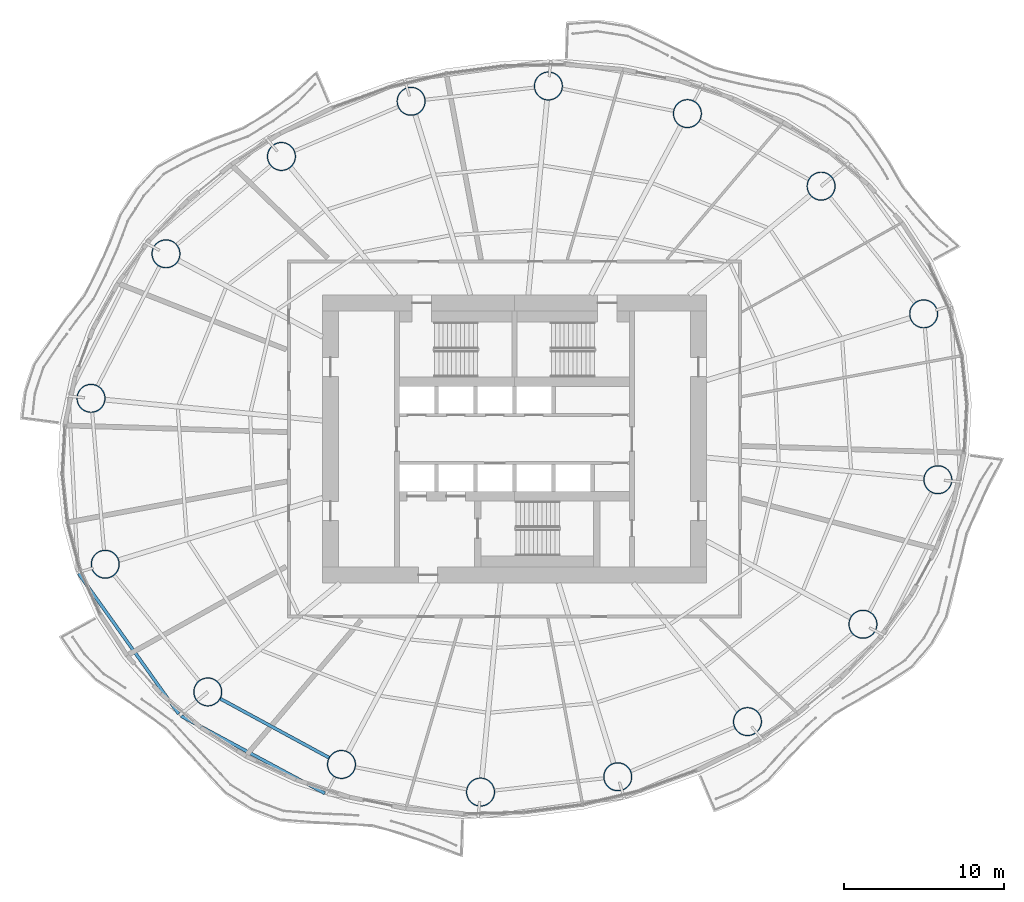
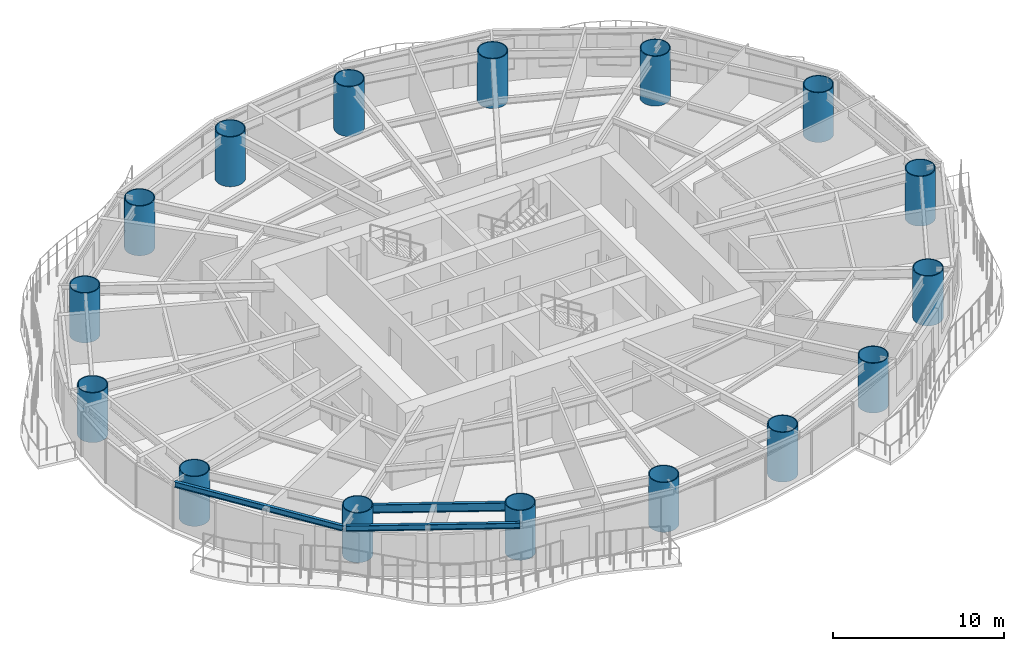
# One storey, part 1 of 17: 16 columns, 3 beams.
"""IFC4 building model written with IfcOpenShell, lengths in metres."""

from ifc_helpers import new_model, si_unit, direction, frame, origin, origin_2d, place, context, subcontext, project, spatial, hollow_circle, i_section, extrude, material, material_profile, profile_set, type_object, element, save


model = new_model("IFC4")

# Units and contexts
model_context = context("Model", 3, precision=1e-05, world=origin(), true_north=direction((0.0, 1.0)))
body_context = subcontext(model_context, "Body", "Model", "MODEL_VIEW")
ifc_project = project(units=[si_unit("LENGTHUNIT", "METRE"), si_unit("AREAUNIT", "SQUARE_METRE"), si_unit("VOLUMEUNIT", "CUBIC_METRE"), si_unit("PLANEANGLEUNIT", "RADIAN"), si_unit("MASSUNIT", "GRAM", prefix="KILO")], contexts=[model_context])

# Site, building, storey
site_placement = place(None, origin())
site = spatial("IfcSite", under=ifc_project, at=site_placement, CompositionType="ELEMENT")
building_placement = place(site_placement, origin())
building = spatial("IfcBuilding", under=site, at=building_placement, Name="Vermilion Reach Broadcast Tower", CompositionType="ELEMENT")
storey_placement = place(building_placement, frame((0.0, 0.0, 76.699951171875)))
storey = spatial("IfcBuildingStorey", under=building, at=storey_placement, Name="L16", CompositionType="ELEMENT", Elevation=76.699951171875)

# Columns
ifc_material_1 = material(Name="Concrete C80 infill in steel S460NL tube", Category="concrete")
ifc_material_profile_1 = material_profile(ifc_material_1, hollow_circle(Radius=0.89990234375, WallThickness=0.06005859375, at=origin_2d()), Name="Concrete C80 infill in steel S460NL tube CFT 1800x60")
ifc_profile_set_1 = profile_set([ifc_material_profile_1], Name="Concrete C80 infill in steel S460NL tube")
column_type = type_object("IfcColumnType", Name="MC1 CFT 1800x60", PredefinedType="COLUMN", material=ifc_profile_set_1)
for number, where, z_axis, x_axis, name in (
    (1, (19.575439453125, 7.823974609375, 0.0), (0.0, 0.0, 1.0), (1.0, 0.0, 0.0), "Mega-column MC1-01"),
    (2, (13.166259765625, 15.804931640625, 0.0), (0.0, 0.0, 1.0), (1.0, 0.0, 0.0), "Mega-column MC1-02"),
    (3, (4.809814453125, 20.3388671875, 0.0), (0.0, 0.0, 1.0), (1.0, 0.0, 0.0), "Mega-column MC1-03"),
    (4, (-3.87939453125, 22.06396484375, 0.0), (0.0, 0.0, 1.0), (1.0, 0.0, 0.0), "Mega-column MC1-04"),
    (5, (-12.45751953125, 21.108154296875, 0.0), (0.0, 0.0, 1.0), (1.0, 0.0, 0.0), "Mega-column MC1-05"),
    (6, (-20.563232421875, 17.660400390625, 0.0), (0.0, 0.0, 1.0), (1.0, 0.0, 0.0), "Mega-column MC1-06"),
    (7, (-27.77978515625, 11.57568359375, 0.0), (0.0, 0.0, 1.0), (1.0, 0.0, 0.0), "Mega-column MC1-07"),
    (8, (-32.464111328125, 2.54345703125, 0.0), (0.0, 0.0, 1.0), (1.0, 0.0, 0.0), "Mega-column MC1-08"),
    (9, (-31.575439453125, -7.823974609375, 0.0), (0.0, 0.0, 1.0), (1.0, 0.0, 0.0), "Mega-column MC1-09"),
    (10, (-25.166259765625, -15.804931640625, 0.0), (0.0, 0.0, 1.0), (1.0, 0.0, 0.0), "Mega-column MC1-10"),
    (11, (-16.809814453125, -20.3388671875, 0.0), (0.0, 0.0, 1.0), (1.0, 0.0, 0.0), "Mega-column MC1-11"),
    (12, (-8.12060546875, -22.06396484375, 0.0), (0.0, 0.0, 1.0), (1.0, 0.0, 0.0), "Mega-column MC1-12"),
    (13, (0.45751953125, -21.108154296875, 0.0), (0.0, 0.0, 1.0), (1.0, 0.0, 0.0), "Mega-column MC1-13"),
    (14, (8.563232421875, -17.660400390625, 0.0), (0.0, 0.0, 1.0), (1.0, 0.0, 0.0), "Mega-column MC1-14"),
    (15, (15.77978515625, -11.57568359375, 0.0), (0.0, 0.0, 1.0), (1.0, 0.0, 0.0), "Mega-column MC1-15"),
    (16, (20.464111328125, -2.54345703125, 0.0), (0.0, 0.0, 1.0), (1.0, 0.0, 0.0), "Mega-column MC1-16"),
):
    element("IfcColumn", number, at=place(storey_placement, frame(where, z_axis=z_axis, x_axis=x_axis)), inside=storey, type_object=column_type, Name=name, PredefinedType="COLUMN", context=body_context, shape_type="SweptSolid", body=[
        extrude(hollow_circle(Radius=0.89990234375, WallThickness=0.06005859375, at=origin_2d()), origin(), (0.0, 0.0, 1.0), 3.550048828125),
    ])

# Beams
ifc_material_2 = material(Name="Steel S355J2", Category="steel")
ifc_material_profile_2 = material_profile(ifc_material_2, i_section(OverallWidth=0.199951171875, OverallDepth=0.39990234375, WebThickness=0.008056640625, FlangeThickness=0.012939453125, at=origin_2d()), Name="S355J2 HN 400x200x8x13")
ifc_profile_set_2 = profile_set([ifc_material_profile_2], Name="Steel S355J2")
beam_type_1 = type_object("IfcBeamType", Name="EB1 HN 400x200x8x13", PredefinedType="BEAM", material=ifc_profile_set_2)
beam_1_placement = place(storey_placement, frame((-33.235107421875, -8.41015625, 3.35009765625), z_axis=(0.580429148402, -0.814310753758, 0.0), x_axis=(0.814310753758, 0.580429148402, 0.0)))
element("IfcBeam", 17, at=beam_1_placement, inside=storey, type_object=beam_type_1, Name="Edge beam EB1-09", PredefinedType="BEAM", context=body_context, shape_type="SweptSolid", body=[
    extrude(i_section(OverallWidth=0.199951171875, OverallDepth=0.39990234375, WebThickness=0.008056640625, FlangeThickness=0.012939453125, at=origin_2d()), origin(), (0.0, 0.0, 1.0), 10.765380859375),
])
beam_2_placement = place(storey_placement, frame((-26.833251953125, -17.309326171875, 3.35009765625), z_axis=(0.880542580904, -0.473967048659, 0.0), x_axis=(0.473967048659, 0.880542580904, 0.0)))
element("IfcBeam", 18, at=beam_2_placement, inside=storey, type_object=beam_type_1, Name="Edge beam EB1-10", PredefinedType="BEAM", context=body_context, shape_type="SweptSolid", body=[
    extrude(i_section(OverallWidth=0.199951171875, OverallDepth=0.39990234375, WebThickness=0.008056640625, FlangeThickness=0.012939453125, at=origin_2d()), origin(), (0.0, 0.0, 1.0), 10.197998046875),
])
ifc_material_3 = material(Name="Steel S355J2", Category="steel")
ifc_material_profile_3 = material_profile(ifc_material_3, i_section(OverallWidth=0.199951171875, OverallDepth=0.60009765625, WebThickness=0.010986328125, FlangeThickness=0.01708984375, at=origin_2d()), Name="S355J2 HN 600x200x11x17")
ifc_profile_set_3 = profile_set([ifc_material_profile_3], Name="Steel S355J2")
beam_type_2 = type_object("IfcBeamType", Name="RB1 HN 600x200x11x17", PredefinedType="BEAM", material=ifc_profile_set_3)
beam_3_placement = place(storey_placement, frame((-24.375244140625, -16.234130859375, 3.25), z_axis=(0.878962319551, -0.476891225344, 0.0), x_axis=(0.476891225344, 0.878962319551, 0.0)))
element("IfcBeam", 19, at=beam_3_placement, inside=storey, type_object=beam_type_2, Name="Ring beam RB1-10", PredefinedType="BEAM", context=body_context, shape_type="SweptSolid", body=[
    extrude(i_section(OverallWidth=0.199951171875, OverallDepth=0.60009765625, WebThickness=0.010986328125, FlangeThickness=0.01708984375, at=origin_2d()), origin(), (0.0, 0.0, 1.0), 7.707275390625),
])

save(model, "model.ifc")
